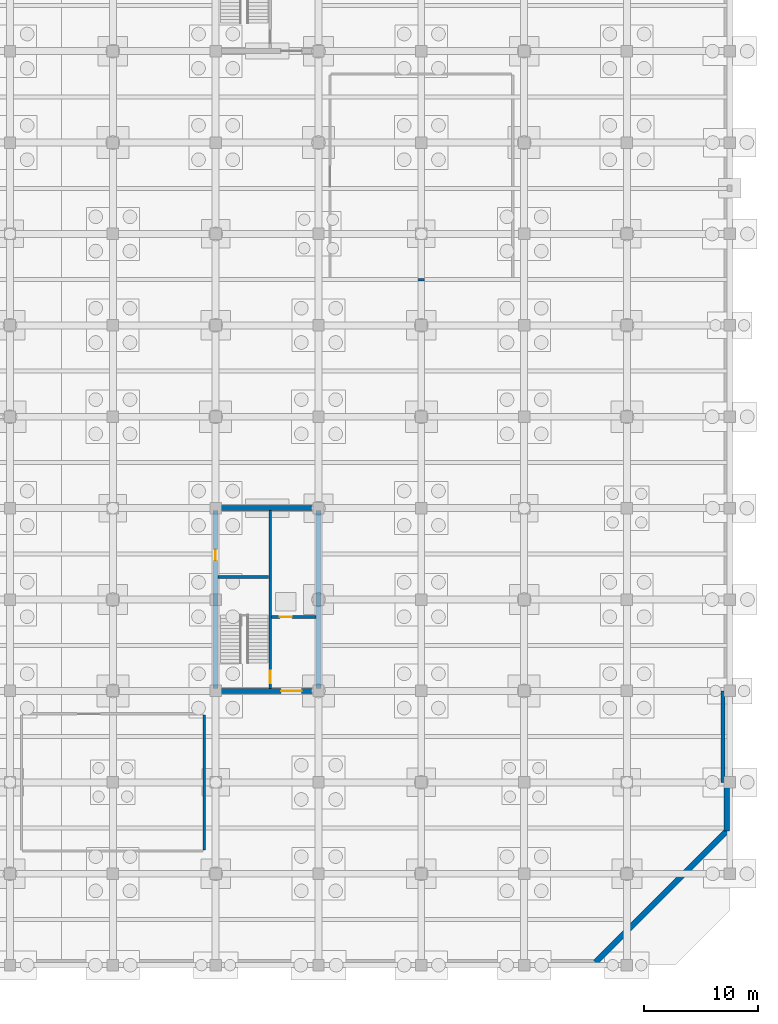
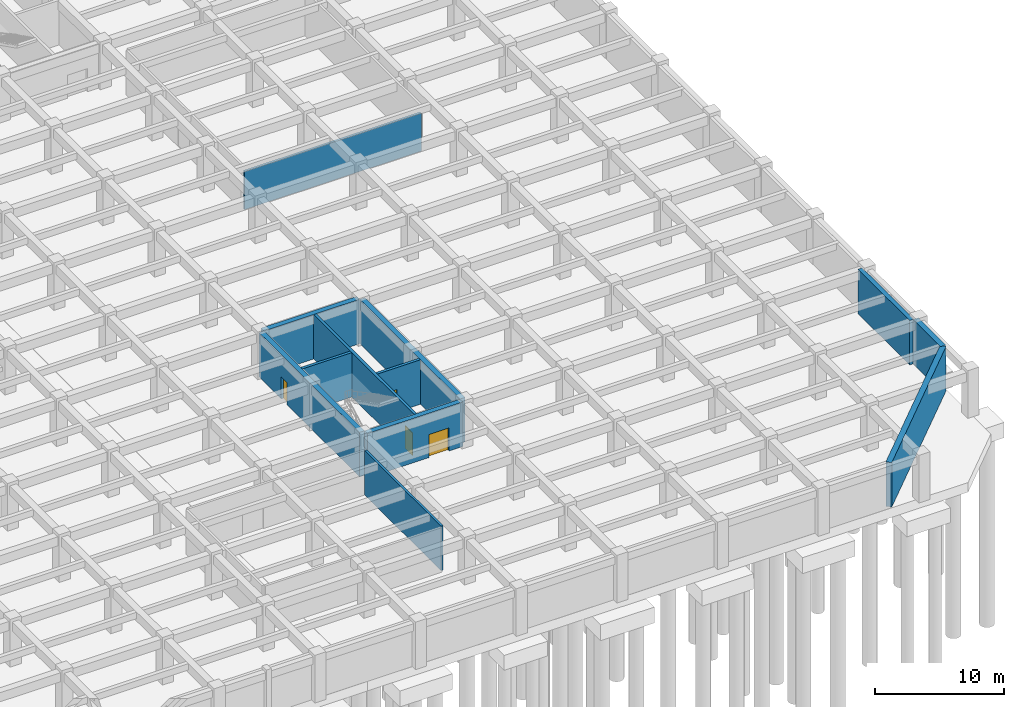
# One storey, part 24 of 31: 12 walls, 4 doors, 4 openings.
"""IFC4 building model written with IfcOpenShell, lengths in metres."""

from ifc_helpers import new_model, si_unit, direction, frame, frame_2d, origin, place, context, subcontext, project, spatial, rectangle, extrude, material, layer, layer_set, type_object, element, fill, save


model = new_model("IFC4")

# Units and contexts
model_context = context("Model", 3, precision=1e-05, world=origin(), true_north=direction((0.0, 1.0)))
body_context = subcontext(model_context, "Body", "Model", "MODEL_VIEW")
ifc_project = project(units=[si_unit("LENGTHUNIT", "METRE"), si_unit("AREAUNIT", "SQUARE_METRE"), si_unit("VOLUMEUNIT", "CUBIC_METRE"), si_unit("PLANEANGLEUNIT", "RADIAN"), si_unit("MASSUNIT", "GRAM", prefix="KILO")], contexts=[model_context])

# Site, building, storey
site_placement = place(None, origin())
site = spatial("IfcSite", under=ifc_project, at=site_placement, CompositionType="ELEMENT")
building_placement = place(site_placement, origin())
building = spatial("IfcBuilding", under=site, at=building_placement, Name="Zaverband Oceanarium and Marine Research Institute", CompositionType="ELEMENT")
storey_placement = place(building_placement, frame((0.0, 0.0, -9.0)))
storey = spatial("IfcBuildingStorey", under=building, at=storey_placement, Name="B2", CompositionType="ELEMENT", Elevation=-9.0)

# Wall, opening, door
ifc_material_1 = material(Name="Concrete C50/60", Category="concrete")
ifc_layer_1 = layer(ifc_material_1, 0.449951171875, Name="Concrete C50/60")
ifc_layer_set_1 = layer_set([ifc_layer_1], Name="Concrete C50/60")
wall_type_1 = type_object("IfcWallType", Name="CW-02", PredefinedType="SHEAR", material=ifc_layer_set_1)
wall_1_placement = place(storey_placement, frame((135.22509765625, 24.0, 0.0), z_axis=(0.0, 0.0, 1.0), x_axis=(1.0, 0.0, 0.0)))
wall_1 = element("IfcWall", 1, at=wall_1_placement, inside=storey, type_object=wall_type_1, Name="Structural shear wall CW-02", PredefinedType="SHEAR", context=body_context, shape_type="SweptSolid", body=[
    extrude(rectangle(XDim=8.5498046875, YDim=0.449951171875, at=frame_2d((4.27490234375, 0.0))), origin(), (0.0, 0.0, 1.0), 4.199951171875),
])
opening_1_placement = place(wall_1_placement, frame((5.5, 0.0, 0.0)))
opening_1 = element("IfcOpeningElement", 2, at=opening_1_placement, cuts=wall_1, Name="Opening FD-02", PredefinedType="OPENING", context=body_context, shape_type="SweptSolid", body=[
    extrude(rectangle(XDim=1.800048828125, YDim=2.179931640625, at=frame_2d((0.89990234375, 1.08984375))), frame((0.0, 0.23681640625, 0.0), z_axis=(0.0, -1.0, 0.0), x_axis=(1.0, 0.0, 0.0)), (0.0, 0.0, 1.0), 0.473876953125),
])
ifc_material_2 = material(Name="Steel S355", Category="steel")
door_type_1 = type_object("IfcDoorType", Name="FD-02", OperationType="DOUBLE_DOOR_SINGLE_SWING", PredefinedType="DOOR", material=ifc_material_2)
door_1_placement = place(opening_1_placement, origin())
door_1 = element("IfcDoor", 3, at=door_1_placement, inside=storey, type_object=door_type_1, Name="Protected lobby double fire door FD-02", OperationType="DOUBLE_DOOR_SINGLE_SWING", OverallHeight=2.179931640625, OverallWidth=1.800048828125, PredefinedType="DOOR", context=body_context, shape_type="SweptSolid", body=[
    extrude(rectangle(XDim=1.800048828125, YDim=2.179931640625, at=frame_2d((0.89990234375, 1.08984375))), frame((0.0, 0.02490234375, 0.0), z_axis=(0.0, -1.0, 0.0), x_axis=(1.0, 0.0, 0.0)), (0.0, 0.0, 1.0), 0.050048828125),
])
fill(opening_1, door_1)

# Wall
wall_2_placement = place(storey_placement, frame((135.22509765625, 40.0, 0.0), z_axis=(0.0, 0.0, 1.0), x_axis=(1.0, 0.0, 0.0)))
element("IfcWall", 4, at=wall_2_placement, inside=storey, type_object=wall_type_1, Name="Structural shear wall CW-02", PredefinedType="SHEAR", context=body_context, shape_type="SweptSolid", body=[
    extrude(rectangle(XDim=8.5498046875, YDim=0.449951171875, at=frame_2d((4.27490234375, 0.0))), origin(), (0.0, 0.0, 1.0), 4.199951171875),
])

# Wall, opening, door
wall_3_placement = place(storey_placement, frame((135.0, 24.22509765625, 0.0), z_axis=(0.0, 0.0, 1.0), x_axis=(0.0, 1.0, 0.0)))
wall_3 = element("IfcWall", 5, at=wall_3_placement, inside=storey, type_object=wall_type_1, Name="Structural shear wall CW-02", PredefinedType="SHEAR", context=body_context, shape_type="SweptSolid", body=[
    extrude(rectangle(XDim=15.5498046875, YDim=0.449951171875, at=frame_2d((7.77490234375, 0.0))), origin(), (0.0, 0.0, 1.0), 4.199951171875),
])
opening_2_placement = place(wall_3_placement, frame((11.199951171875, 0.0, 0.0)))
opening_2 = element("IfcOpeningElement", 6, at=opening_2_placement, cuts=wall_3, Name="Opening FD-03", PredefinedType="OPENING", context=body_context, shape_type="SweptSolid", body=[
    extrude(rectangle(XDim=0.949951171875, YDim=2.10009765625, at=frame_2d((0.47509765625, 1.050048828125))), frame((0.0, 0.23681640625, 0.0), z_axis=(0.0, -1.0, 0.0), x_axis=(1.0, 0.0, 0.0)), (0.0, 0.0, 1.0), 0.473876953125),
])
door_type_2 = type_object("IfcDoorType", Name="FD-03", OperationType="NOTDEFINED", PredefinedType="DOOR", material=ifc_material_2)
door_2_placement = place(opening_2_placement, origin())
door_2 = element("IfcDoor", 7, at=door_2_placement, inside=storey, type_object=door_type_2, Name="Service riser access fire door FD-03", OperationType="SINGLE_SWING_RIGHT", OverallHeight=2.10009765625, OverallWidth=0.949951171875, PredefinedType="DOOR", context=body_context, shape_type="SweptSolid", body=[
    extrude(rectangle(XDim=0.949951171875, YDim=2.10009765625, at=frame_2d((0.47509765625, 1.050048828125))), frame((0.0, 0.02490234375, 0.0), z_axis=(0.0, -1.0, 0.0), x_axis=(1.0, 0.0, 0.0)), (0.0, 0.0, 1.0), 0.050048828125),
])
fill(opening_2, door_2)

# Walls
wall_4_placement = place(storey_placement, frame((144.0, 24.22509765625, 0.0), z_axis=(0.0, 0.0, 1.0), x_axis=(0.0, 1.0, 0.0)))
element("IfcWall", 8, at=wall_4_placement, inside=storey, type_object=wall_type_1, Name="Structural shear wall CW-02", PredefinedType="SHEAR", context=body_context, shape_type="SweptSolid", body=[
    extrude(rectangle(XDim=15.5498046875, YDim=0.449951171875, at=frame_2d((7.77490234375, 0.0))), origin(), (0.0, 0.0, 1.0), 4.199951171875),
])
ifc_material_3 = material(Name="Fire-rated masonry compartment wall", Category="masonry")
ifc_layer_2 = layer(ifc_material_3, 0.199951171875, Name="Fire-rated masonry compartment wall")
ifc_layer_set_2 = layer_set([ifc_layer_2], Name="Fire-rated masonry compartment wall")
wall_type_2 = type_object("IfcWallType", Name="PT-200-FR", PredefinedType="PARTITIONING", material=ifc_layer_set_2)
wall_5_placement = place(storey_placement, frame((134.0, 10.10009765625, 0.0), z_axis=(0.0, 0.0, 1.0), x_axis=(0.0, 1.0, 0.0)))
element("IfcWall", 9, at=wall_5_placement, inside=storey, type_object=wall_type_2, Name="Internal partition PT-200-FR", PredefinedType="PARTITIONING", context=body_context, shape_type="SweptSolid", body=[
    extrude(rectangle(XDim=11.7998046875, YDim=0.199951171875, at=frame_2d((5.89990234375, 0.0))), origin(), (0.0, 0.0, 1.0), 4.199951171875),
])
wall_6_placement = place(storey_placement, frame((145.10009765625, 60.0, 0.0), z_axis=(0.0, 0.0, 1.0), x_axis=(1.0, 0.0, 0.0)))
element("IfcWall", 10, at=wall_6_placement, inside=storey, type_object=wall_type_2, Name="Internal partition PT-200-FR", PredefinedType="PARTITIONING", context=body_context, shape_type="SweptSolid", body=[
    extrude(rectangle(XDim=15.7998046875, YDim=0.199951171875, at=frame_2d((7.89990234375, 0.0))), origin(), (0.0, 0.0, 1.0), 3.60009765625),
])

# Wall, opening, door
ifc_layer_3 = layer(ifc_material_1, 0.25, Name="Concrete C50/60")
ifc_layer_set_3 = layer_set([ifc_layer_3], Name="Concrete C50/60")
wall_type_3 = type_object("IfcWallType", Name="PW-CORE-250", PredefinedType="SOLIDWALL", material=ifc_layer_set_3)
wall_7_placement = place(storey_placement, frame((139.77490234375, 24.22509765625, 0.0), z_axis=(0.0, 0.0, 1.0), x_axis=(0.0, 1.0, 0.0)))
wall_7 = element("IfcWall", 11, at=wall_7_placement, inside=storey, type_object=wall_type_3, Name="Structural concrete wall PW-CORE-250", PredefinedType="SOLIDWALL", context=body_context, shape_type="SweptSolid", body=[
    extrude(rectangle(XDim=15.5498046875, YDim=0.25, at=frame_2d((7.77490234375, 0.0))), origin(), (0.0, 0.0, 1.0), 4.199951171875),
])
opening_3_placement = place(wall_7_placement, frame((0.449951171875, 0.0, 0.0)))
opening_3 = element("IfcOpeningElement", 12, at=opening_3_placement, cuts=wall_7, Name="Opening FD-01", PredefinedType="OPENING", context=body_context, shape_type="SweptSolid", body=[
    extrude(rectangle(XDim=1.10009765625, YDim=2.14990234375, at=frame_2d((0.550048828125, 1.074951171875))), frame((0.0, 0.136962890625, 0.0), z_axis=(0.0, -1.0, 0.0), x_axis=(1.0, 0.0, 0.0)), (0.0, 0.0, 1.0), 0.27392578125),
])
door_type_3 = type_object("IfcDoorType", Name="FD-01", OperationType="NOTDEFINED", PredefinedType="DOOR", material=ifc_material_2)
door_3_placement = place(opening_3_placement, origin())
door_3 = element("IfcDoor", 13, at=door_3_placement, inside=storey, type_object=door_type_3, Name="Core stair / lobby fire door FD-01", OperationType="SINGLE_SWING_LEFT", OverallHeight=2.14990234375, OverallWidth=1.10009765625, PredefinedType="DOOR", context=body_context, shape_type="SweptSolid", body=[
    extrude(rectangle(XDim=1.10009765625, YDim=2.14990234375, at=frame_2d((0.550048828125, 1.074951171875))), frame((0.0, 0.02490234375, 0.0), z_axis=(0.0, -1.0, 0.0), x_axis=(1.0, 0.0, 0.0)), (0.0, 0.0, 1.0), 0.050048828125),
])
fill(opening_3, door_3)

# Wall
wall_8_placement = place(storey_placement, frame((135.22509765625, 33.97509765625, 0.0), z_axis=(0.0, 0.0, 1.0), x_axis=(1.0, 0.0, 0.0)))
element("IfcWall", 14, at=wall_8_placement, inside=storey, type_object=wall_type_3, Name="Structural concrete wall PW-CORE-250", PredefinedType="SOLIDWALL", context=body_context, shape_type="SweptSolid", body=[
    extrude(rectangle(XDim=4.419921875, YDim=0.25, at=frame_2d((2.2099609375, 0.0))), origin(), (0.0, 0.0, 1.0), 4.199951171875),
])

# Wall, opening, door
wall_9_placement = place(storey_placement, frame((139.905029296875, 30.47509765625, 0.0), z_axis=(0.0, 0.0, 1.0), x_axis=(1.0, 0.0, 0.0)))
wall_9 = element("IfcWall", 15, at=wall_9_placement, inside=storey, type_object=wall_type_3, Name="Structural concrete wall PW-CORE-250", PredefinedType="SOLIDWALL", context=body_context, shape_type="SweptSolid", body=[
    extrude(rectangle(XDim=3.869873046875, YDim=0.25, at=frame_2d((1.93505859375, 0.0))), origin(), (0.0, 0.0, 1.0), 4.199951171875),
])
opening_4_placement = place(wall_9_placement, frame((0.719970703125, 0.0, 0.0)))
opening_4 = element("IfcOpeningElement", 16, at=opening_4_placement, cuts=wall_9, Name="Opening LD-02", PredefinedType="OPENING", context=body_context, shape_type="SweptSolid", body=[
    extrude(rectangle(XDim=1.050048828125, YDim=2.1201171875, at=frame_2d((0.52490234375, 1.06005859375))), frame((0.0, 0.136962890625, 0.0), z_axis=(0.0, -1.0, 0.0), x_axis=(1.0, 0.0, 0.0)), (0.0, 0.0, 1.0), 0.27392578125),
])
door_type_4 = type_object("IfcDoorType", Name="LD-02", OperationType="DOUBLE_DOOR_SLIDING", PredefinedType="DOOR", material=ifc_material_2)
door_4_placement = place(opening_4_placement, origin())
door_4 = element("IfcDoor", 17, at=door_4_placement, inside=storey, type_object=door_type_4, Name="Passenger lift sliding landing door LD-02", OperationType="DOUBLE_DOOR_SLIDING", OverallHeight=2.1201171875, OverallWidth=1.050048828125, PredefinedType="DOOR", context=body_context, shape_type="SweptSolid", body=[
    extrude(rectangle(XDim=1.050048828125, YDim=2.1201171875, at=frame_2d((0.52490234375, 1.06005859375))), frame((0.0, 0.02490234375, 0.0), z_axis=(0.0, -1.0, 0.0), x_axis=(1.0, 0.0, 0.0)), (0.0, 0.0, 1.0), 0.050048828125),
])
fill(opening_4, door_4)

# Walls
ifc_material_4 = material(Name="Concrete C45/55", Category="concrete")
ifc_layer_4 = layer(ifc_material_4, 0.47998046875, Name="Concrete C45/55")
ifc_layer_set_4 = layer_set([ifc_layer_4], Name="Concrete C45/55")
wall_type_4 = type_object("IfcWallType", Name="RW-01", PredefinedType="SHEAR", material=ifc_layer_set_4)
wall_10_placement = place(storey_placement, frame((168.25, 0.25, 0.0), z_axis=(0.0, 0.0, 1.0), x_axis=(0.707106781187, 0.707106781187, 0.0)))
element("IfcWall", 18, at=wall_10_placement, inside=storey, type_object=wall_type_4, Name="Basement retaining wall RW-01", PredefinedType="SHEAR", context=body_context, shape_type="SweptSolid", body=[
    extrude(rectangle(XDim=16.263427734375, YDim=0.47998046875, at=frame_2d((8.1318359375, 0.0))), origin(), (0.0, 0.0, 1.0), 4.199951171875),
])
wall_11_placement = place(storey_placement, frame((179.75, 11.75, 0.0), z_axis=(0.0, 0.0, 1.0), x_axis=(0.0, 1.0, 0.0)))
element("IfcWall", 19, at=wall_11_placement, inside=storey, type_object=wall_type_4, Name="Basement retaining wall RW-01", PredefinedType="SHEAR", context=body_context, shape_type="SweptSolid", body=[
    extrude(rectangle(XDim=4.25, YDim=0.47998046875, at=frame_2d((2.125, 0.0))), origin(), (0.0, 0.0, 1.0), 4.199951171875),
])
ifc_layer_5 = layer(ifc_material_1, 0.3798828125, Name="Concrete C50/60")
ifc_layer_set_5 = layer_set([ifc_layer_5], Name="Concrete C50/60")
wall_type_5 = type_object("IfcWallType", Name="SW-02", PredefinedType="SHEAR", material=ifc_layer_set_5)
wall_12_placement = place(storey_placement, frame((179.39990234375, 16.0, 0.0), z_axis=(0.0, 0.0, 1.0), x_axis=(0.0, 1.0, 0.0)))
element("IfcWall", 20, at=wall_12_placement, inside=storey, type_object=wall_type_5, Name="Structural shear wall SW-02", PredefinedType="SHEAR", context=body_context, shape_type="SweptSolid", body=[
    extrude(rectangle(XDim=8.0, YDim=0.3798828125, at=frame_2d((4.0, 0.0))), origin(), (0.0, 0.0, 1.0), 4.199951171875),
])

save(model, "model.ifc")
